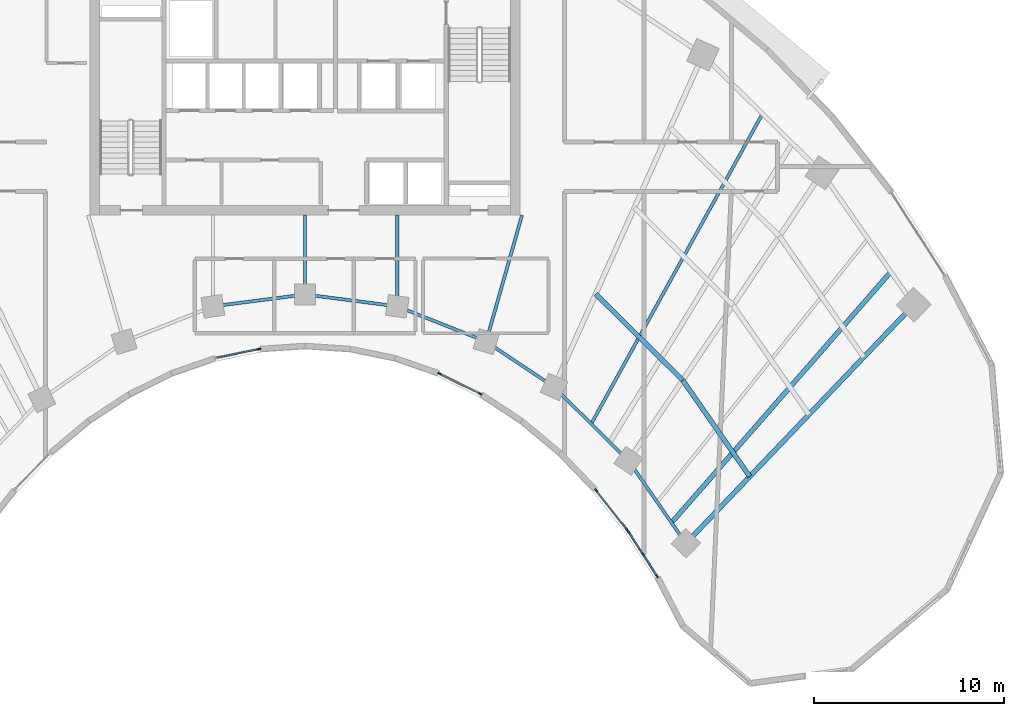
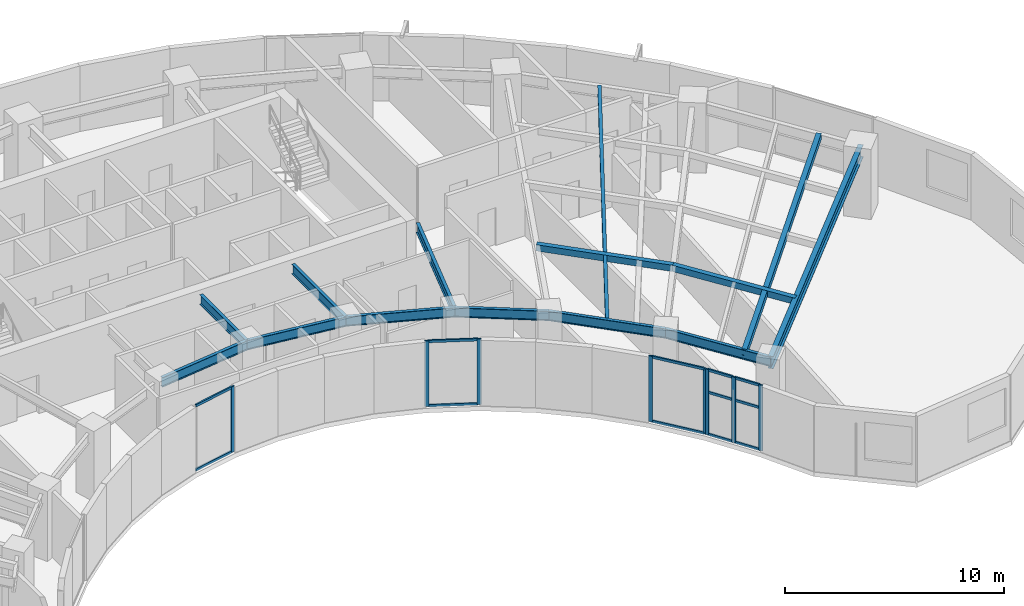
# One storey, part 3 of 14: 20 members, 14 beams, 4 elements without a shape of their own.
"""IFC4 building model written with IfcOpenShell, lengths in metres."""

import ifcopenshell
import ifcopenshell.guid

model = None  # the IFC model being written
_history = None  # IfcOwnerHistory: only IFC2X3 demands one
_inside = {}  # id of a spatial element -> (the spatial element, [elements in it])
_under = {}  # id of a project, library or spatial element -> (it, [spatial elements below it])
_declared = {}  # id of a project -> (the project, [libraries it declares])
_typed = {}  # id of a type object -> (the type object, [elements of that type])
_made_of = {}  # id of a material, layer set ... -> (it, [elements and type objects made of it])


def new_model(schema):
    """Start an empty IFC model of exactly this schema.

    Asked for "IFC4X3", IfcOpenShell would pick the latest addendum, in which some entities
    have other attributes; the version numbers below select the first issue.
    IFC2X3 requires an IfcOwnerHistory on every rooted entity: one is made here for all.
    """
    global model, _history
    if schema == "IFC4X3":
        model = ifcopenshell.file(schema_version=(4, 3, 0, 0))
    else:
        model = ifcopenshell.file(schema=schema)
    _inside.clear()
    _under.clear()
    _declared.clear()
    _typed.clear()
    _made_of.clear()
    _history = None
    if model.schema == "IFC2X3":
        org = make("IfcOrganization", Name="unknown")
        user = make(
            "IfcPersonAndOrganization",
            ThePerson=make("IfcPerson", FamilyName="unknown"),
            TheOrganization=org,
        )
        app = make(
            "IfcApplication",
            ApplicationDeveloper=org,
            Version="unknown",
            ApplicationFullName="unknown",
            ApplicationIdentifier="unknown",
        )
        _history = make(
            "IfcOwnerHistory",
            OwningUser=user,
            OwningApplication=app,
            ChangeAction="ADDED",
            CreationDate=0,
        )
    return model


def make(cls, **values):
    """One entity of the class cls with the attributes given. An attribute that is None is left unset."""
    return model.create_entity(
        cls, **{name: value for name, value in values.items() if value is not None}
    )


def rooted(cls, **values):
    """An entity with a GlobalId (a new one), such as an element, a storey or a relation."""
    return make(cls, GlobalId=ifcopenshell.guid.new(), OwnerHistory=_history, **values)


def si_unit(unit_type, name, prefix=None):
    """IfcSIUnit, for example si_unit("LENGTHUNIT", "METRE", prefix="MILLI")."""
    return make("IfcSIUnit", UnitType=unit_type, Prefix=prefix, Name=name)


def assignment(units):
    """IfcUnitAssignment: the units of a project."""
    return None if units is None else make("IfcUnitAssignment", Units=units)


def point(xyz):
    """IfcCartesianPoint."""
    return None if xyz is None else make("IfcCartesianPoint", Coordinates=xyz)


def direction(xyz):
    """IfcDirection."""
    return None if xyz is None else make("IfcDirection", DirectionRatios=xyz)


def frame(location, z_axis=None, x_axis=None):
    """IfcAxis2Placement3D, a coordinate frame: its origin and axes. An axis left out is left unset."""
    return make(
        "IfcAxis2Placement3D",
        Location=point(location),
        Axis=direction(z_axis),
        RefDirection=direction(x_axis),
    )


def frame_2d(location, x_axis=None):
    """IfcAxis2Placement2D, a coordinate frame in the plane: its origin and x axis."""
    return make(
        "IfcAxis2Placement2D", Location=point(location), RefDirection=direction(x_axis)
    )


def origin():
    """The frame at (0, 0, 0) with its axes left unset."""
    return frame((0.0, 0.0, 0.0))


def origin_2d():
    """The frame at (0, 0) in the plane with its x axis left unset."""
    return frame_2d((0.0, 0.0))


def place(relative_to, where):
    """IfcLocalPlacement: puts the frame where relative to a parent placement (None: the world)."""
    return make(
        "IfcLocalPlacement", PlacementRelTo=relative_to, RelativePlacement=where
    )


def context(
    kind, dimensions, precision=None, world=None, true_north=None, identifier=None
):
    """IfcGeometricRepresentationContext, for example the 3D "Model" context."""
    return make(
        "IfcGeometricRepresentationContext",
        ContextIdentifier=identifier,
        ContextType=kind,
        CoordinateSpaceDimension=dimensions,
        Precision=precision,
        WorldCoordinateSystem=world,
        TrueNorth=true_north,
    )


def subcontext(parent, identifier, kind, view, scale=None):
    """IfcGeometricRepresentationSubContext, for example "Body" below "Model"."""
    return make(
        "IfcGeometricRepresentationSubContext",
        ContextIdentifier=identifier,
        ContextType=kind,
        ParentContext=parent,
        TargetScale=scale,
        TargetView=view,
    )


def project(units=None, contexts=None):
    """IfcProject with its units and contexts."""
    return rooted(
        "IfcProject",
        Name="project",
        RepresentationContexts=contexts,
        UnitsInContext=assignment(units),
    )


def spatial(cls, under=None, at=None, **own):
    """A site, building, storey or space (cls), placed at a placement, below another one or the project."""
    s = rooted(cls, ObjectPlacement=at, **own)
    if under is not None:
        _under.setdefault(under.id(), (under, []))[1].append(s)
    return s


def profile(cls, at=None, kind="AREA", **sizes):
    """A parametric profile (cls). Its sizes go by their IFC names, for example OverallWidth=200.0."""
    return make(cls, ProfileType=kind, Position=at, **sizes)


def rectangle(**sizes):
    """IfcRectangleProfileDef."""
    return profile("IfcRectangleProfileDef", **sizes)


def hollow_rectangle(**sizes):
    """IfcRectangleHollowProfileDef."""
    return profile("IfcRectangleHollowProfileDef", **sizes)


def i_section(**sizes):
    """IfcIShapeProfileDef."""
    return profile("IfcIShapeProfileDef", **sizes)


def extrude(swept, where, along, depth):
    """IfcExtrudedAreaSolid: the profile swept, set in the frame where, extruded along a direction by depth."""
    return make(
        "IfcExtrudedAreaSolid",
        SweptArea=swept,
        Position=where,
        ExtrudedDirection=direction(along),
        Depth=depth,
    )


def shape(context_of_items, identifier, shape_type, items):
    """IfcShapeRepresentation: the items that make up one representation, for example the "Body"."""
    return make(
        "IfcShapeRepresentation",
        ContextOfItems=context_of_items,
        RepresentationIdentifier=identifier,
        RepresentationType=shape_type,
        Items=items,
    )


def source(mapping_origin, context_of_items, identifier, shape_type, items):
    """IfcRepresentationMap: a shape defined once, which mapped items show again and again."""
    return make(
        "IfcRepresentationMap",
        MappingOrigin=mapping_origin,
        MappedRepresentation=shape(context_of_items, identifier, shape_type, items),
    )


def transform(
    local_origin,
    x_axis=None,
    y_axis=None,
    z_axis=None,
    scale=None,
    scale2=None,
    scale3=None,
    uniform=True,
):
    """IfcCartesianTransformationOperator3D, or its non-uniform kind. x_axis, y_axis, z_axis: its Axis1, 2, 3."""
    if uniform:
        return make(
            "IfcCartesianTransformationOperator3D",
            Axis1=direction(x_axis),
            Axis2=direction(y_axis),
            LocalOrigin=point(local_origin),
            Scale=scale,
            Axis3=direction(z_axis),
        )
    return make(
        "IfcCartesianTransformationOperator3DnonUniform",
        Axis1=direction(x_axis),
        Axis2=direction(y_axis),
        LocalOrigin=point(local_origin),
        Scale=scale,
        Axis3=direction(z_axis),
        Scale2=scale2,
        Scale3=scale3,
    )


def mapped(mapping_source, mapping_target):
    """IfcMappedItem: shows the shape of a source again, moved by a transform."""
    return make(
        "IfcMappedItem", MappingSource=mapping_source, MappingTarget=mapping_target
    )


def material(Name=None, Category=None):
    """IfcMaterial."""
    return make("IfcMaterial", Name=Name, Category=Category)


def layer(
    of_material, thickness, ventilated=None, Name=None, Category=None, Priority=None
):
    """IfcMaterialLayer: one layer of a wall or slab, of a material (None: an air gap)."""
    return make(
        "IfcMaterialLayer",
        Material=of_material,
        LayerThickness=thickness,
        IsVentilated=ventilated,
        Name=Name,
        Category=Category,
        Priority=Priority,
    )


def layer_set(layers, Name=None):
    """IfcMaterialLayerSet."""
    return make("IfcMaterialLayerSet", MaterialLayers=layers, LayerSetName=Name)


def material_profile(
    of_material, cross_section, Name=None, Category=None, Priority=None
):
    """IfcMaterialProfile: a cross section and its material."""
    return make(
        "IfcMaterialProfile",
        Name=Name,
        Material=of_material,
        Profile=cross_section,
        Priority=Priority,
        Category=Category,
    )


def profile_set(profiles, Name=None, composite=None):
    """IfcMaterialProfileSet."""
    return make(
        "IfcMaterialProfileSet",
        Name=Name,
        MaterialProfiles=profiles,
        CompositeProfile=composite,
    )


def made_of(thing, what):
    """Note that an element or type object is made of a material, layer set ...; save() writes the relation."""
    if what is not None:
        _made_of.setdefault(what.id(), (what, []))[1].append(thing)
    return thing


def type_object(cls, material=None, **own):
    """A type object (cls), such as IfcWallType, which elements share."""
    return made_of(rooted(cls, **own), material)


def type_shapes(of_type, sources):
    """Give a type object the sources (RepresentationMaps) that its elements show as mapped items."""
    of_type.RepresentationMaps = sources


def element(
    cls,
    number,
    at=None,
    inside=None,
    cuts=None,
    type_object=None,
    material=None,
    context=None,
    identifier="Body",
    shape_type=None,
    held_by="IfcProductDefinitionShape",
    body=None,
    shapes=None,
    **own,
):
    """One element of the class cls, such as IfcWall. Its Tag is "e" and its number.

    at: its placement. inside: the storey or other place that contains it. cuts: it is an
    opening in that element (IfcRelVoidsElement). A single representation is given by context,
    identifier, shape_type and body (its items); several are given by shapes. held_by: the class
    of the entity that holds the representations. save() writes the other relations.
    """
    e = rooted(cls, Tag="e%d" % number, ObjectPlacement=at, **own)
    if body is not None:
        shapes = [shape(context, identifier, shape_type, body)]
    if shapes is not None:
        e.Representation = make(held_by, Representations=shapes)
    if inside is not None:
        _inside.setdefault(inside.id(), (inside, []))[1].append(e)
    if cuts is not None:
        rooted(
            "IfcRelVoidsElement", RelatingBuildingElement=cuts, RelatedOpeningElement=e
        )
    if type_object is not None:
        _typed.setdefault(type_object.id(), (type_object, []))[1].append(e)
    return made_of(e, material)


def aggregate(whole, parts):
    """IfcRelAggregates: a whole, such as a stair, and the parts it consists of."""
    return rooted("IfcRelAggregates", RelatingObject=whole, RelatedObjects=parts)


def save(model, path):
    """Write the relations noted so far, then the file.

    IfcRelAggregates (storeys below a building ...), IfcRelContainedInSpatialStructure (elements
    in a storey), IfcRelDefinesByType, IfcRelAssociatesMaterial and IfcRelDeclares: one each for
    every whole, place, type object, material and project.
    """
    for whole, parts in _under.values():
        aggregate(whole, parts)
    for where, things in _inside.values():
        rooted(
            "IfcRelContainedInSpatialStructure",
            RelatedElements=things,
            RelatingStructure=where,
        )
    for kind, things in _typed.values():
        rooted("IfcRelDefinesByType", RelatedObjects=things, RelatingType=kind)
    for what, things in _made_of.values():
        rooted("IfcRelAssociatesMaterial", RelatedObjects=things, RelatingMaterial=what)
    for by, libraries in _declared.values():
        rooted("IfcRelDeclares", RelatingContext=by, RelatedDefinitions=libraries)
    model.write(path)


model = new_model("IFC4")

# Units and contexts
model_context = context("Model", 3, precision=1e-05, world=origin(), true_north=direction((0.0, 1.0)))
body_context = subcontext(model_context, "Body", "Model", "MODEL_VIEW")
ifc_project = project(units=[si_unit("LENGTHUNIT", "METRE"), si_unit("AREAUNIT", "SQUARE_METRE"), si_unit("VOLUMEUNIT", "CUBIC_METRE"), si_unit("PLANEANGLEUNIT", "RADIAN"), si_unit("MASSUNIT", "GRAM", prefix="KILO")], contexts=[model_context])

# Site, building, storey
site_placement = place(None, origin())
site = spatial("IfcSite", under=ifc_project, at=site_placement, CompositionType="ELEMENT")
building_placement = place(site_placement, origin())
building = spatial("IfcBuilding", under=site, at=building_placement, Name="Breltana Convention Tower", CompositionType="ELEMENT")
storey_placement = place(building_placement, frame((0.0, 0.0, 138.89990234375)))
storey = spatial("IfcBuildingStorey", under=building, at=storey_placement, Name="L33", CompositionType="ELEMENT", Elevation=138.89990234375)

# Beams
ifc_material_1 = material(Name="Steel ASTM A992 Grade 50", Category="steel")
ifc_material_profile_1 = material_profile(ifc_material_1, i_section(OverallWidth=0.25390625, OverallDepth=0.68798828125, WebThickness=0.01318359375, FlangeThickness=0.02099609375, at=origin_2d()), Name="W27X102")
ifc_profile_set_1 = profile_set([ifc_material_profile_1], Name="Steel ASTM A992 Grade 50")
beam_type_1 = type_object("IfcBeamType", Name="BM-RG-W27X102", PredefinedType="USERDEFINED", material=ifc_profile_set_1)
shared_shape_1 = source(origin(), body_context, "Body", "SweptSolid", [
    extrude(i_section(OverallWidth=0.25390625, OverallDepth=0.68798828125, WebThickness=0.01318359375, FlangeThickness=0.02099609375, at=origin_2d()), origin(), (0.0, 0.0, 1.0), 17.341064453125),
])
type_shapes(beam_type_1, [shared_shape_1])
beam_1_placement = place(storey_placement, frame((68.015380859375, 42.95458984375, 3.30615234375), z_axis=(0.690716462293, 0.723125693581, 0.0), x_axis=(-0.723125693581, 0.690716462293, 0.0)))
element("IfcBeam", 1, at=beam_1_placement, inside=storey, type_object=beam_type_1, Name="L33 Radial Floor Girder R11", ObjectType="GIRDER", PredefinedType="USERDEFINED", context=body_context, shape_type="MappedRepresentation", body=[
    mapped(shared_shape_1, transform((0.0, 0.0, 0.0), scale=1.0)),
])
ifc_material_profile_2 = material_profile(ifc_material_1, i_section(OverallWidth=0.166015625, OverallDepth=0.534912109375, WebThickness=0.01025390625, FlangeThickness=0.0166015625, at=origin_2d()), Name="W21X57")
ifc_profile_set_2 = profile_set([ifc_material_profile_2], Name="Steel ASTM A992 Grade 50")
beam_type_2 = type_object("IfcBeamType", Name="BM-BM-W21X57", PredefinedType="BEAM", material=ifc_profile_set_2)
shared_shape_2 = source(origin(), body_context, "Body", "SweptSolid", [
    extrude(i_section(OverallWidth=0.166015625, OverallDepth=0.534912109375, WebThickness=0.01025390625, FlangeThickness=0.0166015625, at=origin_2d()), origin(), (0.0, 0.0, 1.0), 6.904541015625),
])
type_shapes(beam_type_2, [shared_shape_2])
beam_2_placement = place(storey_placement, frame((59.39990234375, 60.199951171875, 3.382568359375), z_axis=(-0.273006781054, -0.962012108811, 0.0), x_axis=(0.962012108811, -0.273006781054, 0.0)))
element("IfcBeam", 2, at=beam_2_placement, inside=storey, type_object=beam_type_2, Name="L33 South Core Tie Girder R08", PredefinedType="BEAM", context=body_context, shape_type="MappedRepresentation", body=[
    mapped(shared_shape_2, transform((0.0, 0.0, 0.0), scale=1.0)),
])
shared_shape_3 = source(origin(), body_context, "Body", "SweptSolid", [
    extrude(i_section(OverallWidth=0.166015625, OverallDepth=0.534912109375, WebThickness=0.01025390625, FlangeThickness=0.0166015625, at=origin_2d()), origin(), (0.0, 0.0, 1.0), 4.789306640625),
])
beam_3_placement = place(storey_placement, frame((52.846435546875, 60.199951171875, 3.382568359375), z_axis=(0.0, -1.0, 0.0), x_axis=(1.0, 0.0, 0.0)))
element("IfcBeam", 3, at=beam_3_placement, inside=storey, type_object=beam_type_2, Name="L33 South Core Tie Girder R07", PredefinedType="BEAM", context=body_context, shape_type="MappedRepresentation", body=[
    mapped(shared_shape_3, transform((0.0, 0.0, 0.0), scale=1.0)),
])
shared_shape_4 = source(origin(), body_context, "Body", "SweptSolid", [
    extrude(i_section(OverallWidth=0.166015625, OverallDepth=0.534912109375, WebThickness=0.01025390625, FlangeThickness=0.0166015625, at=origin_2d()), origin(), (0.0, 0.0, 1.0), 4.1640625),
])
beam_4_placement = place(storey_placement, frame((48.0, 60.199951171875, 3.382568359375), z_axis=(0.0, -1.0, 0.0), x_axis=(1.0, 0.0, 0.0)))
element("IfcBeam", 4, at=beam_4_placement, inside=storey, type_object=beam_type_2, Name="L33 South Core Tie Girder R06", PredefinedType="BEAM", context=body_context, shape_type="MappedRepresentation", body=[
    mapped(shared_shape_4, transform((0.0, 0.0, 0.0), scale=1.0)),
])
shared_shape_5 = source(origin(), body_context, "Body", "SweptSolid", [
    extrude(i_section(OverallWidth=0.166015625, OverallDepth=0.534912109375, WebThickness=0.01025390625, FlangeThickness=0.0166015625, at=origin_2d()), origin(), (0.0, 0.0, 1.0), 5.022705078125),
])
beam_5_placement = place(storey_placement, frame((52.846435546875, 55.41064453125, 3.382568359375), z_axis=(0.929458966248, -0.368925507469, 0.0), x_axis=(0.368925507469, 0.929458966248, 0.0)))
element("IfcBeam", 5, at=beam_5_placement, inside=storey, type_object=beam_type_2, Name="L33 Inner Ring Beam 07", PredefinedType="BEAM", context=body_context, shape_type="MappedRepresentation", body=[
    mapped(shared_shape_5, transform((0.0, 0.0, 0.0), scale=1.0)),
])
shared_shape_6 = source(origin(), body_context, "Body", "SweptSolid", [
    extrude(i_section(OverallWidth=0.166015625, OverallDepth=0.534912109375, WebThickness=0.01025390625, FlangeThickness=0.0166015625, at=origin_2d()), origin(), (0.0, 0.0, 1.0), 4.88671875),
])
for number, where, z_axis, x_axis, name in (
    (6, (43.153564453125, 55.41064453125, 3.382568359375), (0.991780525565, 0.127950729231, 0.0), (-0.127950729231, 0.991780525565, 0.0), "L33 Inner Ring Beam 05"),
    (7, (48.0, 56.035888671875, 3.382568359375), (0.991780525565, -0.127950729231, 0.0), (0.127950729231, 0.991780525565, 0.0), "L33 Inner Ring Beam 06"),
):
    element("IfcBeam", number, at=place(storey_placement, frame(where, z_axis=z_axis, x_axis=x_axis)), inside=storey, type_object=beam_type_2, Name=name, PredefinedType="BEAM", context=body_context, shape_type="MappedRepresentation", body=[
        mapped(shared_shape_6, transform((0.0, 0.0, 0.0), scale=1.0)),
    ])
shared_shape_7 = source(origin(), body_context, "Body", "SweptSolid", [
    extrude(i_section(OverallWidth=0.166015625, OverallDepth=0.534912109375, WebThickness=0.01025390625, FlangeThickness=0.0166015625, at=origin_2d()), origin(), (0.0, 0.0, 1.0), 4.2900390625),
])
beam_6_placement = place(storey_placement, frame((57.514892578125, 53.5576171875, 3.382568359375), z_axis=(0.831515827753, -0.555501060482, 0.0), x_axis=(0.555501060482, 0.831515827753, 0.0)))
element("IfcBeam", 8, at=beam_6_placement, inside=storey, type_object=beam_type_2, Name="L33 Inner Ring Beam 08", PredefinedType="BEAM", context=body_context, shape_type="MappedRepresentation", body=[
    mapped(shared_shape_7, transform((0.0, 0.0, 0.0), scale=1.0)),
])
shared_shape_8 = source(origin(), body_context, "Body", "SweptSolid", [
    extrude(i_section(OverallWidth=0.166015625, OverallDepth=0.534912109375, WebThickness=0.01025390625, FlangeThickness=0.0166015625, at=origin_2d()), origin(), (0.0, 0.0, 1.0), 5.51171875),
])
beam_7_placement = place(storey_placement, frame((61.08203125, 51.174560546875, 3.382568359375), z_axis=(0.710090360749, -0.704110559196, 0.0), x_axis=(0.704110559196, 0.710090360749, 0.0)))
element("IfcBeam", 9, at=beam_7_placement, inside=storey, type_object=beam_type_2, Name="L33 Inner Ring Beam 09", PredefinedType="BEAM", context=body_context, shape_type="MappedRepresentation", body=[
    mapped(shared_shape_8, transform((0.0, 0.0, 0.0), scale=1.0)),
])
shared_shape_9 = source(origin(), body_context, "Body", "SweptSolid", [
    extrude(i_section(OverallWidth=0.166015625, OverallDepth=0.534912109375, WebThickness=0.01025390625, FlangeThickness=0.0166015625, at=origin_2d()), origin(), (0.0, 0.0, 1.0), 5.286376953125),
])
beam_8_placement = place(storey_placement, frame((64.995849609375, 47.293701171875, 3.382568359375), z_axis=(0.571194382458, -0.82081482531, 0.0), x_axis=(0.82081482531, 0.571194382458, 0.0)))
element("IfcBeam", 10, at=beam_8_placement, inside=storey, type_object=beam_type_2, Name="L33 Inner Ring Beam 10", PredefinedType="BEAM", context=body_context, shape_type="MappedRepresentation", body=[
    mapped(shared_shape_9, transform((0.0, 0.0, 0.0), scale=1.0)),
])
ifc_material_profile_3 = material_profile(ifc_material_1, hollow_rectangle(XDim=0.25, YDim=0.35009765625, WallThickness=0.011962890625, at=origin_2d()), Name="RHS350X250X12")
ifc_profile_set_3 = profile_set([ifc_material_profile_3], Name="Steel ASTM A992 Grade 50")
beam_type_3 = type_object("IfcBeamType", Name="BM-JSG-12", PredefinedType="JOIST", material=ifc_profile_set_3)
shared_shape_10 = source(origin(), body_context, "Body", "SweptSolid", [
    extrude(hollow_rectangle(XDim=0.25, YDim=0.35009765625, WallThickness=0.011962890625, at=origin_2d()), origin(), (0.0, 0.0, 1.0), 6.435302734375),
])
beam_9_placement = place(storey_placement, frame((63.27392578125, 56.06298828125, 3.47509765625), z_axis=(0.710116389828, -0.704084308089, 0.0), x_axis=(0.704084308089, 0.710116389828, 0.0)))
element("IfcBeam", 11, at=beam_9_placement, inside=storey, type_object=beam_type_3, Name="L33 Composite Floor Joist 09.1", PredefinedType="JOIST", context=body_context, shape_type="MappedRepresentation", body=[
    mapped(shared_shape_10, transform((0.0, 0.0, 0.0), scale=1.0)),
])
ifc_material_profile_4 = material_profile(ifc_material_1, i_section(OverallWidth=0.166015625, OverallDepth=0.534912109375, WebThickness=0.01025390625, FlangeThickness=0.0166015625, at=origin_2d()), Name="W21X57")
ifc_profile_set_4 = profile_set([ifc_material_profile_4], Name="Steel ASTM A992 Grade 50")
beam_type_4 = type_object("IfcBeamType", Name="BM-JSG-05", PredefinedType="JOIST", material=ifc_profile_set_4)
shared_shape_11 = source(origin(), body_context, "Body", "SweptSolid", [
    extrude(i_section(OverallWidth=0.166015625, OverallDepth=0.534912109375, WebThickness=0.01025390625, FlangeThickness=0.0166015625, at=origin_2d()), origin(), (0.0, 0.0, 1.0), 18.617431640625),
])
beam_10_placement = place(storey_placement, frame((63.038818359375, 49.234130859375, 3.382568359375), z_axis=(0.483405602507, 0.875396495004, 0.0), x_axis=(-0.875396495004, 0.483405602507, 0.0)))
element("IfcBeam", 12, at=beam_10_placement, inside=storey, type_object=beam_type_4, Name="L33 Mid-Bay Radial Trimmer 09", PredefinedType="JOIST", context=body_context, shape_type="MappedRepresentation", body=[
    mapped(shared_shape_11, transform((0.0, 0.0, 0.0), scale=1.0)),
])
shared_shape_12 = source(origin(), body_context, "Body", "SweptSolid", [
    extrude(hollow_rectangle(XDim=0.25, YDim=0.35009765625, WallThickness=0.011962890625, at=origin_2d()), origin(), (0.0, 0.0, 1.0), 6.172119140625),
])
beam_11_placement = place(storey_placement, frame((67.84375, 51.531982421875, 3.47509765625), z_axis=(0.571211663392, -0.820802799462, 0.0), x_axis=(0.820802799462, 0.571211663392, 0.0)))
element("IfcBeam", 13, at=beam_11_placement, inside=storey, type_object=beam_type_3, Name="L33 Composite Floor Joist 10.1", PredefinedType="JOIST", context=body_context, shape_type="MappedRepresentation", body=[
    mapped(shared_shape_12, transform((0.0, 0.0, 0.0), scale=1.0)),
])
shared_shape_13 = source(origin(), body_context, "Body", "SweptSolid", [
    extrude(hollow_rectangle(XDim=0.25, YDim=0.35009765625, WallThickness=0.011962890625, at=origin_2d()), origin(), (0.0, 0.0, 1.0), 17.515625),
])
beam_12_placement = place(storey_placement, frame((67.260498046875, 44.03955078125, 3.47509765625), z_axis=(0.658051548324, 0.752972881151, 0.0), x_axis=(-0.752972881151, 0.658051548324, 0.0)))
element("IfcBeam", 14, at=beam_12_placement, inside=storey, type_object=beam_type_3, Name="L33 Quarter-Bay Radial Trimmer 10", PredefinedType="JOIST", context=body_context, shape_type="MappedRepresentation", body=[
    mapped(shared_shape_13, transform((0.0, 0.0, 0.0), scale=1.0)),
])

# Curtain wall, members
ifc_material_2 = material(Name="Aluminium Anodised Bronze Frame", Category="aluminium")
ifc_layer = layer(ifc_material_2, 0.18994140625, Name="Aluminium Anodised Bronze Frame")
ifc_layer_set = layer_set([ifc_layer], Name="Aluminium Anodised Bronze Frame")
curtain_wall_type = type_object("IfcCurtainWallType", Name="CW-SYS-1", PredefinedType="NOTDEFINED", material=ifc_layer_set)
curtain_wall_1_placement = place(storey_placement, origin())
curtain_wall_1 = element("IfcCurtainWall", 15, at=curtain_wall_1_placement, inside=storey, type_object=curtain_wall_type, Name="L33 inner south-court glazing 1", PredefinedType="NOTDEFINED")
ifc_material_3 = material(Name="Aluminium Anodised Bronze", Category="aluminium")
ifc_material_profile_5 = material_profile(ifc_material_3, rectangle(XDim=0.080078125, YDim=0.139892578125, at=origin_2d()), Name="CWT-80X140")
ifc_profile_set_5 = profile_set([ifc_material_profile_5], Name="Aluminium Anodised Bronze")
member_type_1 = type_object("IfcMemberType", Name="CWT-140", PredefinedType="USERDEFINED", material=ifc_profile_set_5)
shared_shape_14 = source(origin(), body_context, "Body", "SweptSolid", [
    extrude(rectangle(XDim=0.080078125, YDim=0.139892578125, at=origin_2d()), origin(), (0.0, 0.0, 1.0), 1.30029296875),
])
member_1_placement = place(storey_placement, frame((66.4794921875, 41.259521484375, 0.0400390625), z_axis=(-0.540188084224, 0.841544314735, 0.0), x_axis=(-0.841544314735, -0.540188084224, 0.0)))
member_1 = element("IfcMember", 16, at=member_1_placement, type_object=member_type_1, Name="CW-01 transom 1.1", ObjectType="TRANSOM", PredefinedType="USERDEFINED", context=body_context, shape_type="MappedRepresentation", body=[
    mapped(shared_shape_14, transform((0.0, 0.0, 0.0), scale=1.0)),
])
member_2_placement = place(storey_placement, frame((66.4794921875, 41.259521484375, 2.37255859375), z_axis=(-0.540188084224, 0.841544314735, 0.0), x_axis=(-0.841544314735, -0.540188084224, 0.0)))
member_2 = element("IfcMember", 17, at=member_2_placement, type_object=member_type_1, Name="CW-01 transom 1.2", ObjectType="TRANSOM", PredefinedType="USERDEFINED", context=body_context, shape_type="MappedRepresentation", body=[
    mapped(shared_shape_14, transform((0.0, 0.0, 0.0), scale=1.0)),
])
member_3_placement = place(storey_placement, frame((66.4794921875, 41.259521484375, 3.610107421875), z_axis=(-0.540188084224, 0.841544314735, 0.0), x_axis=(-0.841544314735, -0.540188084224, 0.0)))
member_3 = element("IfcMember", 18, at=member_3_placement, type_object=member_type_1, Name="CW-01 transom 1.3", ObjectType="TRANSOM", PredefinedType="USERDEFINED", context=body_context, shape_type="MappedRepresentation", body=[
    mapped(shared_shape_14, transform((0.0, 0.0, 0.0), scale=1.0)),
])
shared_shape_15 = source(origin(), body_context, "Body", "SweptSolid", [
    extrude(rectangle(XDim=0.080078125, YDim=0.139892578125, at=origin_2d()), origin(), (0.0, 0.0, 1.0), 1.300048828125),
])
member_4_placement = place(storey_placement, frame((65.73388671875, 42.4208984375, 0.0400390625), z_axis=(-0.540140453972, 0.841574886735, 0.0), x_axis=(-0.841574886735, -0.540140453972, 0.0)))
member_4 = element("IfcMember", 19, at=member_4_placement, type_object=member_type_1, Name="CW-01 transom 2.1", ObjectType="TRANSOM", PredefinedType="USERDEFINED", context=body_context, shape_type="MappedRepresentation", body=[
    mapped(shared_shape_15, transform((0.0, 0.0, 0.0), scale=1.0)),
])
member_5_placement = place(storey_placement, frame((65.73388671875, 42.4208984375, 2.37255859375), z_axis=(-0.540140453972, 0.841574886735, 0.0), x_axis=(-0.841574886735, -0.540140453972, 0.0)))
member_5 = element("IfcMember", 20, at=member_5_placement, type_object=member_type_1, Name="CW-01 transom 2.2", ObjectType="TRANSOM", PredefinedType="USERDEFINED", context=body_context, shape_type="MappedRepresentation", body=[
    mapped(shared_shape_15, transform((0.0, 0.0, 0.0), scale=1.0)),
])
member_6_placement = place(storey_placement, frame((65.73388671875, 42.4208984375, 3.610107421875), z_axis=(-0.540140453972, 0.841574886735, 0.0), x_axis=(-0.841574886735, -0.540140453972, 0.0)))
member_6 = element("IfcMember", 21, at=member_6_placement, type_object=member_type_1, Name="CW-01 transom 2.3", ObjectType="TRANSOM", PredefinedType="USERDEFINED", context=body_context, shape_type="MappedRepresentation", body=[
    mapped(shared_shape_15, transform((0.0, 0.0, 0.0), scale=1.0)),
])

curtain_wall_2_placement = place(storey_placement, origin())
curtain_wall_2 = element("IfcCurtainWall", 22, at=curtain_wall_2_placement, inside=storey, type_object=curtain_wall_type, Name="L33 inner south-court glazing 2", PredefinedType="NOTDEFINED")
shared_shape_16 = source(origin(), body_context, "Body", "SweptSolid", [
    extrude(rectangle(XDim=0.080078125, YDim=0.139892578125, at=origin_2d()), origin(), (0.0, 0.0, 1.0), 2.6005859375),
])
member_7_placement = place(storey_placement, frame((64.928955078125, 43.6591796875, 0.0400390625), z_axis=(-0.618078566977, 0.786116330478, 0.0), x_axis=(-0.786116330478, -0.618078566977, 0.0)))
member_7 = element("IfcMember", 23, at=member_7_placement, type_object=member_type_1, Name="CW-01 transom 1.1", ObjectType="TRANSOM", PredefinedType="USERDEFINED", context=body_context, shape_type="MappedRepresentation", body=[
    mapped(shared_shape_16, transform((0.0, 0.0, 0.0), scale=1.0)),
])
member_8_placement = place(storey_placement, frame((64.928955078125, 43.6591796875, 3.610107421875), z_axis=(-0.618078566977, 0.786116330478, 0.0), x_axis=(-0.786116330478, -0.618078566977, 0.0)))
member_8 = element("IfcMember", 24, at=member_8_placement, type_object=member_type_1, Name="CW-01 transom 1.2", ObjectType="TRANSOM", PredefinedType="USERDEFINED", context=body_context, shape_type="MappedRepresentation", body=[
    mapped(shared_shape_16, transform((0.0, 0.0, 0.0), scale=1.0)),
])

curtain_wall_3_placement = place(storey_placement, origin())
curtain_wall_3 = element("IfcCurtainWall", 25, at=curtain_wall_3_placement, inside=storey, type_object=curtain_wall_type, Name="L33 inner south-court glazing 3", PredefinedType="NOTDEFINED")
shared_shape_17 = source(origin(), body_context, "Body", "SweptSolid", [
    extrude(rectangle(XDim=0.080078125, YDim=0.139892578125, at=origin_2d()), origin(), (0.0, 0.0, 1.0), 2.302490234375),
])
member_9_placement = place(storey_placement, frame((57.167236328125, 50.83251953125, 0.0400390625), z_axis=(-0.895948802276, 0.444157341152, 0.0), x_axis=(-0.444157341152, -0.895948802276, 0.0)))
member_9 = element("IfcMember", 26, at=member_9_placement, type_object=member_type_1, Name="CW-01 transom 1.1", ObjectType="TRANSOM", PredefinedType="USERDEFINED", context=body_context, shape_type="MappedRepresentation", body=[
    mapped(shared_shape_17, transform((0.0, 0.0, 0.0), scale=1.0)),
])
member_10_placement = place(storey_placement, frame((57.167236328125, 50.83251953125, 3.610107421875), z_axis=(-0.895948802276, 0.444157341152, 0.0), x_axis=(-0.444157341152, -0.895948802276, 0.0)))
member_10 = element("IfcMember", 27, at=member_10_placement, type_object=member_type_1, Name="CW-01 transom 1.2", ObjectType="TRANSOM", PredefinedType="USERDEFINED", context=body_context, shape_type="MappedRepresentation", body=[
    mapped(shared_shape_17, transform((0.0, 0.0, 0.0), scale=1.0)),
])

curtain_wall_4_placement = place(storey_placement, origin())
curtain_wall_4 = element("IfcCurtainWall", 28, at=curtain_wall_4_placement, inside=storey, type_object=curtain_wall_type, Name="L33 inner south-court glazing 4", PredefinedType="NOTDEFINED")
shared_shape_18 = source(origin(), body_context, "Body", "SweptSolid", [
    extrude(rectangle(XDim=0.080078125, YDim=0.139892578125, at=origin_2d()), origin(), (0.0, 0.0, 1.0), 2.2138671875),
])
member_11_placement = place(storey_placement, frame((45.535888671875, 53.15576171875, 0.0400390625), z_axis=(-0.979627741123, -0.200822032712, 0.0), x_axis=(0.200822032712, -0.979627741123, 0.0)))
member_11 = element("IfcMember", 29, at=member_11_placement, type_object=member_type_1, Name="CW-01 transom 1.1", ObjectType="TRANSOM", PredefinedType="USERDEFINED", context=body_context, shape_type="MappedRepresentation", body=[
    mapped(shared_shape_18, transform((0.0, 0.0, 0.0), scale=1.0)),
])
member_12_placement = place(storey_placement, frame((45.535888671875, 53.15576171875, 3.610107421875), z_axis=(-0.979627741123, -0.200822032712, 0.0), x_axis=(0.200822032712, -0.979627741123, 0.0)))
member_12 = element("IfcMember", 30, at=member_12_placement, type_object=member_type_1, Name="CW-01 transom 1.2", ObjectType="TRANSOM", PredefinedType="USERDEFINED", context=body_context, shape_type="MappedRepresentation", body=[
    mapped(shared_shape_18, transform((0.0, 0.0, 0.0), scale=1.0)),
])

# Member
ifc_material_profile_6 = material_profile(ifc_material_3, rectangle(XDim=0.080078125, YDim=0.199951171875, at=origin_2d()), Name="CWM-80X200")
ifc_profile_set_6 = profile_set([ifc_material_profile_6], Name="Aluminium Anodised Bronze")
member_type_2 = type_object("IfcMemberType", Name="CWM-200", PredefinedType="MULLION", material=ifc_profile_set_6)
shared_shape_19 = source(origin(), body_context, "Body", "SweptSolid", [
    extrude(rectangle(XDim=0.080078125, YDim=0.199951171875, at=origin_2d()), origin(), (0.0, 0.0, 1.0), 3.650146484375),
])
member_13_placement = place(storey_placement, frame((66.5009765625, 41.22607421875, 0.0), z_axis=(0.0, 0.0, 1.0), x_axis=(-0.841551235949, -0.5401773017, 0.0)))
member_13 = element("IfcMember", 31, at=member_13_placement, type_object=member_type_2, Name="CW-01 mullion 1", PredefinedType="MULLION", context=body_context, shape_type="MappedRepresentation", body=[
    mapped(shared_shape_19, transform((0.0, 0.0, 0.0), scale=1.0)),
])

member_14_placement = place(storey_placement, frame((65.755615234375, 42.38720703125, 0.0), z_axis=(0.0, 0.0, 1.0), x_axis=(-0.841551235949, -0.5401773017, 0.0)))
member_14 = element("IfcMember", 32, at=member_14_placement, type_object=member_type_2, Name="CW-01 mullion 2", PredefinedType="MULLION", context=body_context, shape_type="MappedRepresentation", body=[
    mapped(shared_shape_19, transform((0.0, 0.0, 0.0), scale=1.0)),
])

member_15_placement = place(storey_placement, frame((65.010009765625, 43.548583984375, 0.0), z_axis=(0.0, 0.0, 1.0), x_axis=(-0.841551235949, -0.5401773017, 0.0)))
member_15 = element("IfcMember", 33, at=member_15_placement, type_object=member_type_2, Name="CW-01 mullion 3", PredefinedType="MULLION", context=body_context, shape_type="MappedRepresentation", body=[
    mapped(shared_shape_19, transform((0.0, 0.0, 0.0), scale=1.0)),
])

aggregate(curtain_wall_1, [member_13, member_14, member_15, member_1, member_2, member_3, member_4, member_5, member_6])

member_16_placement = place(storey_placement, frame((64.953857421875, 43.6279296875, 0.0), z_axis=(0.0, 0.0, 1.0), x_axis=(-0.786054302547, -0.61815745037, 0.0)))
member_16 = element("IfcMember", 34, at=member_16_placement, type_object=member_type_2, Name="CW-01 mullion 1", PredefinedType="MULLION", context=body_context, shape_type="MappedRepresentation", body=[
    mapped(shared_shape_19, transform((0.0, 0.0, 0.0), scale=1.0)),
])

member_17_placement = place(storey_placement, frame((63.296630859375, 45.73486328125, 0.0), z_axis=(0.0, 0.0, 1.0), x_axis=(-0.786054302547, -0.61815745037, 0.0)))
member_17 = element("IfcMember", 35, at=member_17_placement, type_object=member_type_2, Name="CW-01 mullion 2", PredefinedType="MULLION", context=body_context, shape_type="MappedRepresentation", body=[
    mapped(shared_shape_19, transform((0.0, 0.0, 0.0), scale=1.0)),
])

aggregate(curtain_wall_2, [member_16, member_17, member_7, member_8])

member_18_placement = place(storey_placement, frame((57.203125, 50.814697265625, 0.0), z_axis=(0.0, 0.0, 1.0), x_axis=(-0.444124759622, -0.895964953495, 0.0)))
member_18 = element("IfcMember", 36, at=member_18_placement, type_object=member_type_2, Name="CW-01 mullion 1", PredefinedType="MULLION", context=body_context, shape_type="MappedRepresentation", body=[
    mapped(shared_shape_19, transform((0.0, 0.0, 0.0), scale=1.0)),
])

member_19_placement = place(storey_placement, frame((55.068359375, 51.873046875, 0.0), z_axis=(0.0, 0.0, 1.0), x_axis=(-0.444124759622, -0.895964953495, 0.0)))
member_19 = element("IfcMember", 37, at=member_19_placement, type_object=member_type_2, Name="CW-01 mullion 2", PredefinedType="MULLION", context=body_context, shape_type="MappedRepresentation", body=[
    mapped(shared_shape_19, transform((0.0, 0.0, 0.0), scale=1.0)),
])

aggregate(curtain_wall_3, [member_18, member_19, member_9, member_10])

member_20_placement = place(storey_placement, frame((45.574951171875, 53.163818359375, 0.0), z_axis=(0.0, 0.0, 1.0), x_axis=(0.200852929183, -0.979621406891, 0.0)))
member_20 = element("IfcMember", 38, at=member_20_placement, type_object=member_type_2, Name="CW-01 mullion 1", PredefinedType="MULLION", context=body_context, shape_type="MappedRepresentation", body=[
    mapped(shared_shape_19, transform((0.0, 0.0, 0.0), scale=1.0)),
])

aggregate(curtain_wall_4, [member_20, member_11, member_12])

save(model, "model.ifc")
